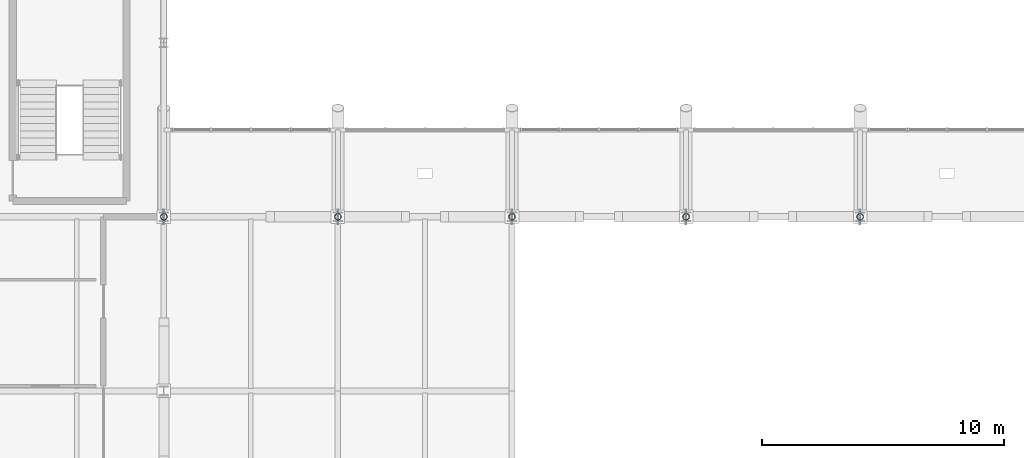
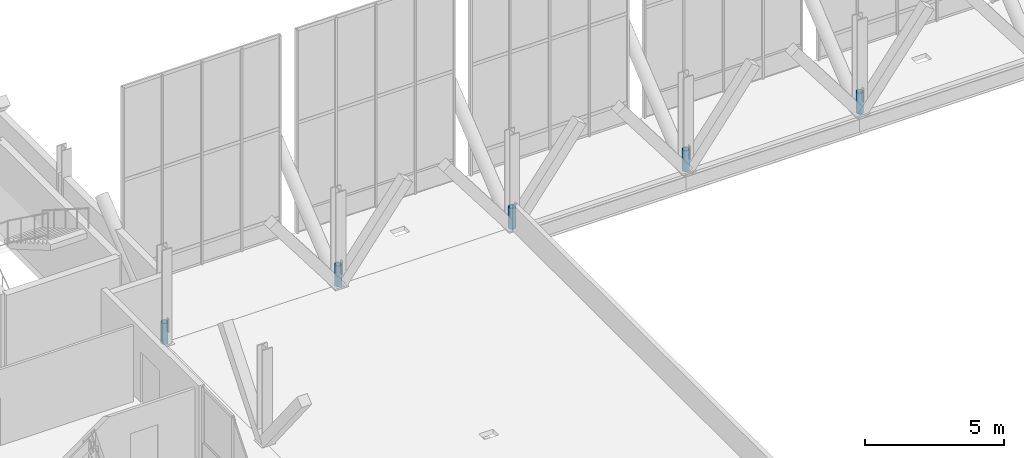
# One storey, part 68 of 102: 5 members.
"""IFC4 building model written with IfcOpenShell, lengths in metres."""

from ifc_helpers import new_model, si_unit, direction, frame, origin, origin_2d, place, context, subcontext, project, spatial, hollow_circle, extrude, material, material_profile, profile_set, type_object, element, save


model = new_model("IFC4")

# Units and contexts
model_context = context("Model", 3, precision=1e-05, world=origin(), true_north=direction((0.0, 1.0)))
body_context = subcontext(model_context, "Body", "Model", "MODEL_VIEW")
ifc_project = project(units=[si_unit("LENGTHUNIT", "METRE"), si_unit("AREAUNIT", "SQUARE_METRE"), si_unit("VOLUMEUNIT", "CUBIC_METRE"), si_unit("PLANEANGLEUNIT", "RADIAN"), si_unit("MASSUNIT", "GRAM", prefix="KILO")], contexts=[model_context])

# Site, building, storey
site_placement = place(None, origin())
site = spatial("IfcSite", under=ifc_project, at=site_placement, CompositionType="ELEMENT")
building_placement = place(site_placement, origin())
building = spatial("IfcBuilding", under=site, at=building_placement, Name="Yarey Park Central Fire Station", CompositionType="ELEMENT")
storey_placement = place(building_placement, frame((0.0, 0.0, 6.0)))
storey = spatial("IfcBuildingStorey", under=building, at=storey_placement, Name="L02", CompositionType="ELEMENT", Elevation=6.0)

# Members
ifc_material = material(Name="Steel ASTM A500 Gr. C", Category="steel")
ifc_material_profile = material_profile(ifc_material, hollow_circle(Radius=0.136474609375, WallThickness=0.012451171875, at=origin_2d()), Name="CHS 273x12.5")
ifc_profile_set = profile_set([ifc_material_profile], Name="Steel ASTM A500 Gr. C")
member_type = type_object("IfcMemberType", Name="STR_WEB_CHS273", PredefinedType="BRACE", material=ifc_profile_set)
for number, where, z_axis, x_axis, name in (
    (1, (57.60009765625, 57.60009765625, 0.0), (0.0, 0.0, 1.0), (1.0, 0.0, 0.0), "Arched Roof Truss ART_01 Vertical 1"),
    (2, (64.800048828125, 57.60009765625, 0.0), (0.0, 0.0, 1.0), (1.0, 0.0, 0.0), "Arched Roof Truss ART_02 Vertical 1"),
    (3, (72.0, 57.60009765625, 0.0), (0.0, 0.0, 1.0), (1.0, 0.0, 0.0), "Arched Roof Truss ART_03 Vertical 1"),
    (4, (79.199951171875, 57.60009765625, 0.0), (0.0, 0.0, 1.0), (1.0, 0.0, 0.0), "Arched Roof Truss ART_04 Vertical 1"),
    (5, (86.39990234375, 57.60009765625, 0.0), (0.0, 0.0, 1.0), (1.0, 0.0, 0.0), "Arched Roof Truss ART_05 Vertical 1"),
):
    element("IfcMember", number, at=place(storey_placement, frame(where, z_axis=z_axis, x_axis=x_axis)), inside=storey, type_object=member_type, Name=name, PredefinedType="BRACE", context=body_context, shape_type="SweptSolid", body=[
        extrude(hollow_circle(Radius=0.136474609375, WallThickness=0.012451171875, at=origin_2d()), origin(), (0.0, 0.0, 1.0), 0.919921875),
    ])

save(model, "model.ifc")
